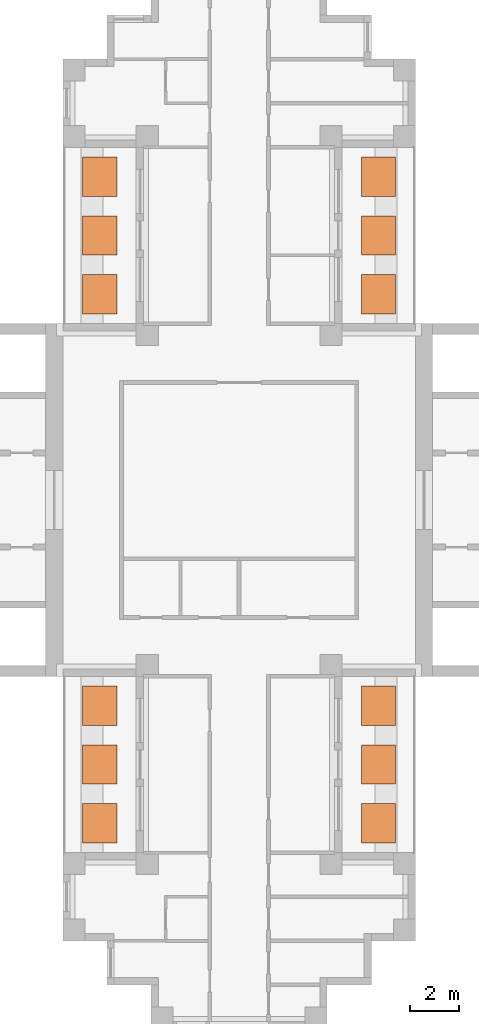
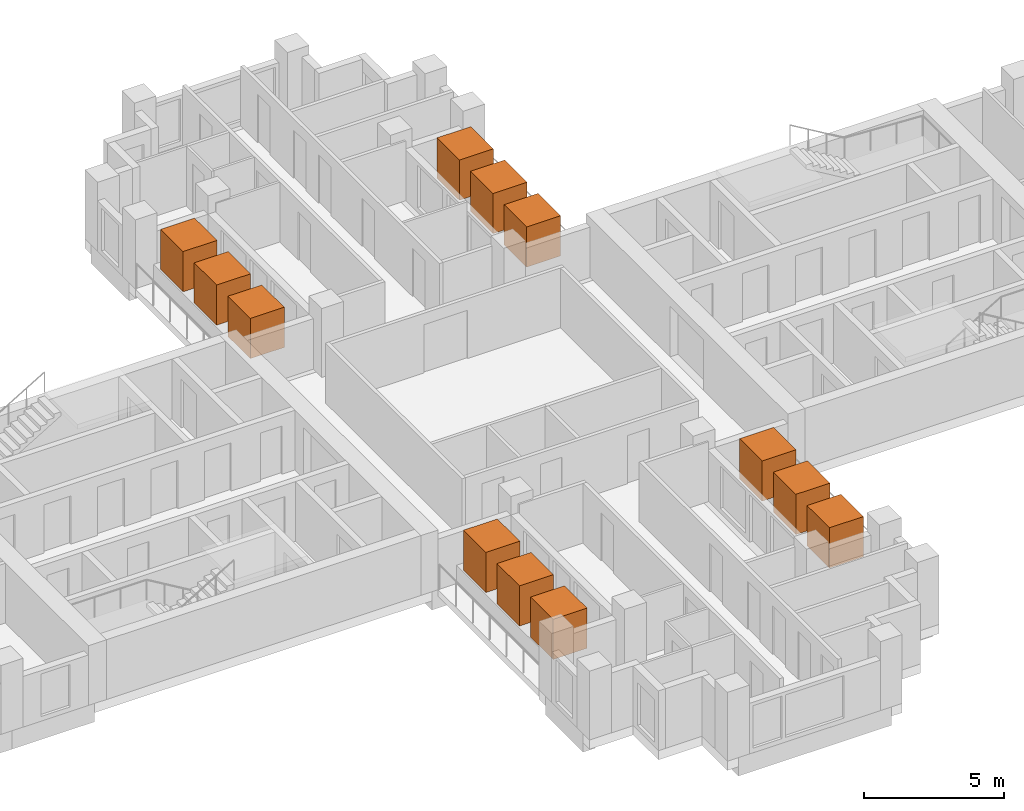
# One storey, part 11 of 11: 12 geographic elements.
"""IFC4 building model written with IfcOpenShell, lengths in metres."""

from ifc_helpers import new_model, si_unit, direction, frame, origin, origin_2d, place, context, subcontext, project, spatial, rectangle, extrude, material, element, save


model = new_model("IFC4")

# Units and contexts
model_context = context("Model", 3, precision=1e-05, world=origin(), true_north=direction((0.0, 1.0)))
body_context = subcontext(model_context, "Body", "Model", "MODEL_VIEW")
ifc_project = project(units=[si_unit("LENGTHUNIT", "METRE"), si_unit("AREAUNIT", "SQUARE_METRE"), si_unit("VOLUMEUNIT", "CUBIC_METRE"), si_unit("PLANEANGLEUNIT", "RADIAN"), si_unit("MASSUNIT", "GRAM", prefix="KILO")], contexts=[model_context])

# Site, building, storey
site_placement = place(None, origin())
site = spatial("IfcSite", under=ifc_project, at=site_placement, CompositionType="ELEMENT")
building_placement = place(site_placement, origin())
building = spatial("IfcBuilding", under=site, at=building_placement, Name="Fustian Cross Tower", CompositionType="ELEMENT")
storey_placement = place(building_placement, frame((0.0, 0.0, 123.300048828125)))
storey = spatial("IfcBuildingStorey", under=building, at=storey_placement, Name="L38", CompositionType="ELEMENT", Elevation=123.300048828125)

# Geographic elements
ifc_material = material(Name="Evergreen foliage")
for number, where, z_axis, x_axis, name in (
    (1, (5.68994140625, 8.39990234375, 0.800048828125), (0.0, 0.0, 1.0), (1.0, 0.0, 0.0), "TREE field maple"),
    (2, (5.68994140625, 10.800048828125, 0.800048828125), (0.0, 0.0, 1.0), (1.0, 0.0, 0.0), "TREE field maple"),
    (3, (5.68994140625, 13.199951171875, 0.800048828125), (0.0, 0.0, 1.0), (1.0, 0.0, 0.0), "TREE field maple"),
    (4, (-5.68994140625, 8.39990234375, 0.800048828125), (0.0, 0.0, 1.0), (1.0, 0.0, 0.0), "TREE field maple"),
    (5, (-5.68994140625, 10.800048828125, 0.800048828125), (0.0, 0.0, 1.0), (1.0, 0.0, 0.0), "TREE field maple"),
    (6, (-5.68994140625, 13.199951171875, 0.800048828125), (0.0, 0.0, 1.0), (1.0, 0.0, 0.0), "TREE field maple"),
    (7, (5.68994140625, -13.199951171875, 0.800048828125), (0.0, 0.0, 1.0), (1.0, 0.0, 0.0), "TREE field maple"),
    (8, (5.68994140625, -10.800048828125, 0.800048828125), (0.0, 0.0, 1.0), (1.0, 0.0, 0.0), "TREE field maple"),
    (9, (5.68994140625, -8.39990234375, 0.800048828125), (0.0, 0.0, 1.0), (1.0, 0.0, 0.0), "TREE field maple"),
    (10, (-5.68994140625, -13.199951171875, 0.800048828125), (0.0, 0.0, 1.0), (1.0, 0.0, 0.0), "TREE field maple"),
    (11, (-5.68994140625, -10.800048828125, 0.800048828125), (0.0, 0.0, 1.0), (1.0, 0.0, 0.0), "TREE field maple"),
    (12, (-5.68994140625, -8.39990234375, 0.800048828125), (0.0, 0.0, 1.0), (1.0, 0.0, 0.0), "TREE field maple"),
):
    element("IfcGeographicElement", number, at=place(storey_placement, frame(where, z_axis=z_axis, x_axis=x_axis)), inside=storey, material=ifc_material, Name=name, ObjectType="VEGETATION", PredefinedType="USERDEFINED", context=body_context, shape_type="SweptSolid", body=[
        extrude(rectangle(XDim=1.39990234375, YDim=1.60009765625, at=origin_2d()), origin(), (0.0, 0.0, 1.0), 1.75),
    ])

save(model, "model.ifc")
